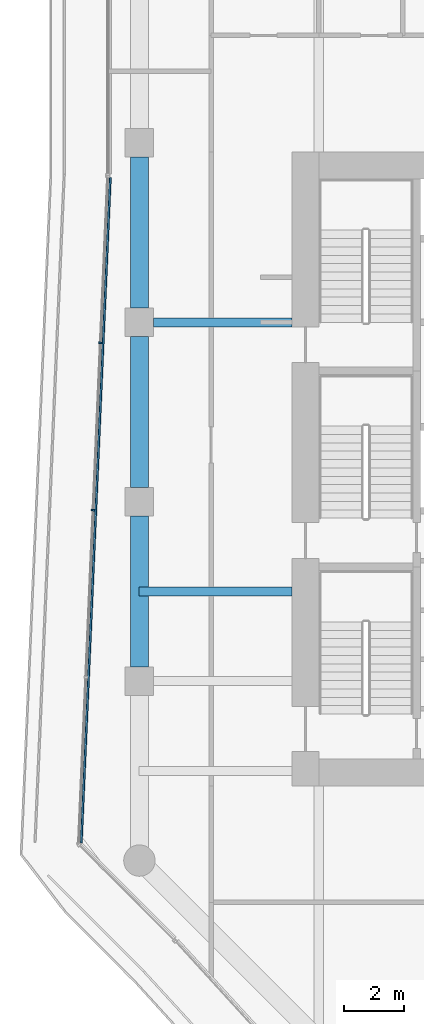
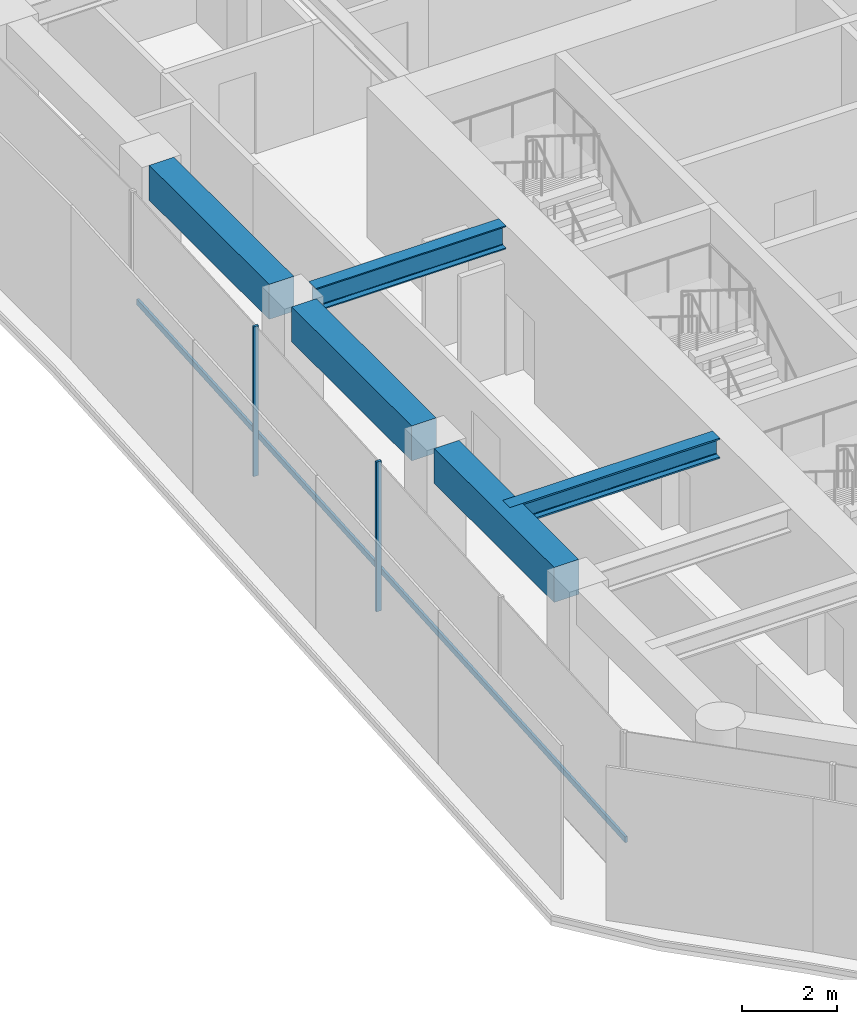
# One storey, part 4 of 29: 5 beams, 3 members, 1 element without a shape of its own.
"""IFC4 building model written with IfcOpenShell, lengths in metres."""

from ifc_helpers import new_model, si_unit, direction, frame, origin, origin_2d, place, context, subcontext, project, spatial, rectangle, i_section, extrude, material, layer, layer_set, material_profile, profile_set, type_object, element, aggregate, save


model = new_model("IFC4")

# Units and contexts
model_context = context("Model", 3, precision=1e-05, world=origin(), true_north=direction((0.0, 1.0)))
body_context = subcontext(model_context, "Body", "Model", "MODEL_VIEW")
ifc_project = project(units=[si_unit("LENGTHUNIT", "METRE"), si_unit("AREAUNIT", "SQUARE_METRE"), si_unit("VOLUMEUNIT", "CUBIC_METRE"), si_unit("PLANEANGLEUNIT", "RADIAN"), si_unit("MASSUNIT", "GRAM", prefix="KILO")], contexts=[model_context])

# Site, building, storey
site_placement = place(None, origin())
site = spatial("IfcSite", under=ifc_project, at=site_placement, CompositionType="ELEMENT")
building_placement = place(site_placement, origin())
building = spatial("IfcBuilding", under=site, at=building_placement, Name="Welwitschia Terrace Campus", CompositionType="ELEMENT")
storey_placement = place(building_placement, frame((0.0, 0.0, 41.60009765625)))
storey = spatial("IfcBuildingStorey", under=building, at=storey_placement, Name="L09", CompositionType="ELEMENT", Elevation=41.60009765625)

# Beam
ifc_material_1 = material(Name="Steel S355", Category="steel")
ifc_material_profile_1 = material_profile(ifc_material_1, i_section(OverallWidth=0.305908203125, OverallDepth=0.52392578125, WebThickness=0.02099609375, FlangeThickness=0.0400390625, FilletRadius=0.027099609375, at=origin_2d()))
ifc_profile_set_1 = profile_set([ifc_material_profile_1], Name="Steel S355")
beam_type_1 = type_object("IfcBeamType", Name="Interior girder HE 500 M", PredefinedType="BEAM", material=ifc_profile_set_1)
beam_1_placement = place(storey_placement, frame((-0.010009765625, 11.0, 3.587890625), z_axis=(1.0, 0.0, 0.0), x_axis=(0.0, 1.0, 0.0)))
element("IfcBeam", 1, at=beam_1_placement, inside=storey, type_object=beam_type_1, Name="Girder GB2", PredefinedType="BEAM", context=body_context, shape_type="SweptSolid", body=[
    extrude(i_section(OverallWidth=0.305908203125, OverallDepth=0.52392578125, WebThickness=0.02099609375, FlangeThickness=0.0400390625, FilletRadius=0.027099609375, at=origin_2d()), origin(), (0.0, 0.0, 1.0), 5.109130859375),
])

# Curtain wall, members
ifc_material_2 = material(Name="Bronze anodised aluminium", Category="aluminium")
ifc_layer = layer(ifc_material_2, 0.1201171875)
ifc_layer_set = layer_set([ifc_layer], Name="Bronze anodised aluminium")
curtain_wall_type = type_object("IfcCurtainWallType", Name="Curtain wall CW2 tower 6000", PredefinedType="NOTDEFINED", material=ifc_layer_set)
curtain_wall_placement = place(storey_placement, origin())
curtain_wall = element("IfcCurtainWall", 2, at=curtain_wall_placement, inside=storey, type_object=curtain_wall_type, Name="CW L09.0.0", PredefinedType="NOTDEFINED")
ifc_material_3 = material(Name="Bronze anodised aluminium", Category="aluminium")
ifc_material_profile_2 = material_profile(ifc_material_3, rectangle(XDim=0.1201171875, YDim=0.06005859375, at=origin_2d()))
ifc_profile_set_2 = profile_set([ifc_material_profile_2], Name="Bronze anodised aluminium")
member_type_1 = type_object("IfcMemberType", Name="Mullion 60x120", PredefinedType="MULLION", material=ifc_profile_set_2)
member_1_placement = place(storey_placement, frame((-1.302001953125, 19.31201171875, 0.0), z_axis=(0.0, 0.0, 1.0), x_axis=(0.999048221582, -0.043619387365, 0.0)))
member_1 = element("IfcMember", 3, at=member_1_placement, type_object=member_type_1, Name="Mullion L09.0.0.1", PredefinedType="MULLION", context=body_context, shape_type="SweptSolid", body=[
    extrude(rectangle(XDim=0.1201171875, YDim=0.06005859375, at=origin_2d()), origin(), (0.0, 0.0, 1.0), 3.849853515625),
])
member_2_placement = place(storey_placement, frame((-1.546142578125, 13.720703125, 0.0), z_axis=(0.0, 0.0, 1.0), x_axis=(0.999048221582, -0.043619387365, 0.0)))
member_2 = element("IfcMember", 4, at=member_2_placement, type_object=member_type_1, Name="Mullion L09.0.0.2", PredefinedType="MULLION", context=body_context, shape_type="SweptSolid", body=[
    extrude(rectangle(XDim=0.1201171875, YDim=0.06005859375, at=origin_2d()), origin(), (0.0, 0.0, 1.0), 3.849853515625),
])

# Beams
ifc_material_4 = material(Name="Steel S355", Category="steel")
ifc_material_profile_3 = material_profile(ifc_material_4, i_section(OverallWidth=0.300048828125, OverallDepth=0.60009765625, WebThickness=0.015380859375, FlangeThickness=0.030029296875, FilletRadius=0.027099609375, at=origin_2d()))
ifc_profile_set_3 = profile_set([ifc_material_profile_3], Name="Steel S355")
beam_type_2 = type_object("IfcBeamType", Name="Primary beam HE 600 B", PredefinedType="BEAM", material=ifc_profile_set_3)
beam_2_placement = place(storey_placement, frame((0.4755859375, 20.0, 3.5498046875), z_axis=(1.0, 0.0, 0.0), x_axis=(0.0, 1.0, 0.0)))
element("IfcBeam", 5, at=beam_2_placement, inside=storey, type_object=beam_type_2, Name="Primary beam PB2", PredefinedType="BEAM", context=body_context, shape_type="SweptSolid", body=[
    extrude(i_section(OverallWidth=0.300048828125, OverallDepth=0.60009765625, WebThickness=0.015380859375, FlangeThickness=0.030029296875, FilletRadius=0.027099609375, at=origin_2d()), origin(), (0.0, 0.0, 1.0), 4.62451171875),
])
ifc_material_5 = material(Name="Concrete C60/75", Category="concrete")
ifc_material_profile_4 = material_profile(ifc_material_5, rectangle(XDim=0.60009765625, YDim=0.89990234375, at=origin_2d()))
ifc_profile_set_4 = profile_set([ifc_material_profile_4], Name="Concrete C60/75")
beam_type_3 = type_object("IfcBeamType", Name="Ring spandrel 600x900", PredefinedType="SPANDREL", material=ifc_profile_set_4)
for number, where, z_axis, x_axis, name in (
    (6, (0.0, 25.5244140625, 3.39990234375), (0.0, -1.0, 0.0), (1.0, 0.0, 0.0), "Spandrel SP2"),
    (7, (0.0, 19.5244140625, 3.39990234375), (0.0, -1.0, 0.0), (1.0, 0.0, 0.0), "Spandrel SP2"),
    (8, (0.0, 13.5244140625, 3.39990234375), (0.0, -1.0, 0.0), (1.0, 0.0, 0.0), "Spandrel SP2"),
):
    element("IfcBeam", number, at=place(storey_placement, frame(where, z_axis=z_axis, x_axis=x_axis)), inside=storey, type_object=beam_type_3, Name=name, PredefinedType="SPANDREL", context=body_context, shape_type="SweptSolid", body=[
        extrude(rectangle(XDim=0.60009765625, YDim=0.89990234375, at=origin_2d()), origin(), (0.0, 0.0, 1.0), 5.048828125),
    ])

# Member
ifc_material_6 = material(Name="Bronze anodised aluminium", Category="aluminium")
ifc_material_profile_5 = material_profile(ifc_material_6, rectangle(XDim=0.06005859375, YDim=0.14990234375, at=origin_2d()))
ifc_profile_set_5 = profile_set([ifc_material_profile_5], Name="Bronze anodised aluminium")
member_type_2 = type_object("IfcMemberType", Name="Transom 60x150", PredefinedType="USERDEFINED", material=ifc_profile_set_5)
member_3_placement = place(storey_placement, frame((-0.970703125, 24.83935546875, 1.0), z_axis=(-0.043617083997, -0.999048322146, 0.0), x_axis=(0.999048322146, -0.043617083997, 0.0)))
member_3 = element("IfcMember", 9, at=member_3_placement, type_object=member_type_2, Name="Transom L09.0.0", ObjectType="TRANSOM", PredefinedType="USERDEFINED", context=body_context, shape_type="SweptSolid", body=[
    extrude(rectangle(XDim=0.06005859375, YDim=0.14990234375, at=origin_2d()), origin(), (0.0, 0.0, 1.0), 22.266357421875),
])

aggregate(curtain_wall, [member_1, member_2, member_3])

save(model, "model.ifc")
